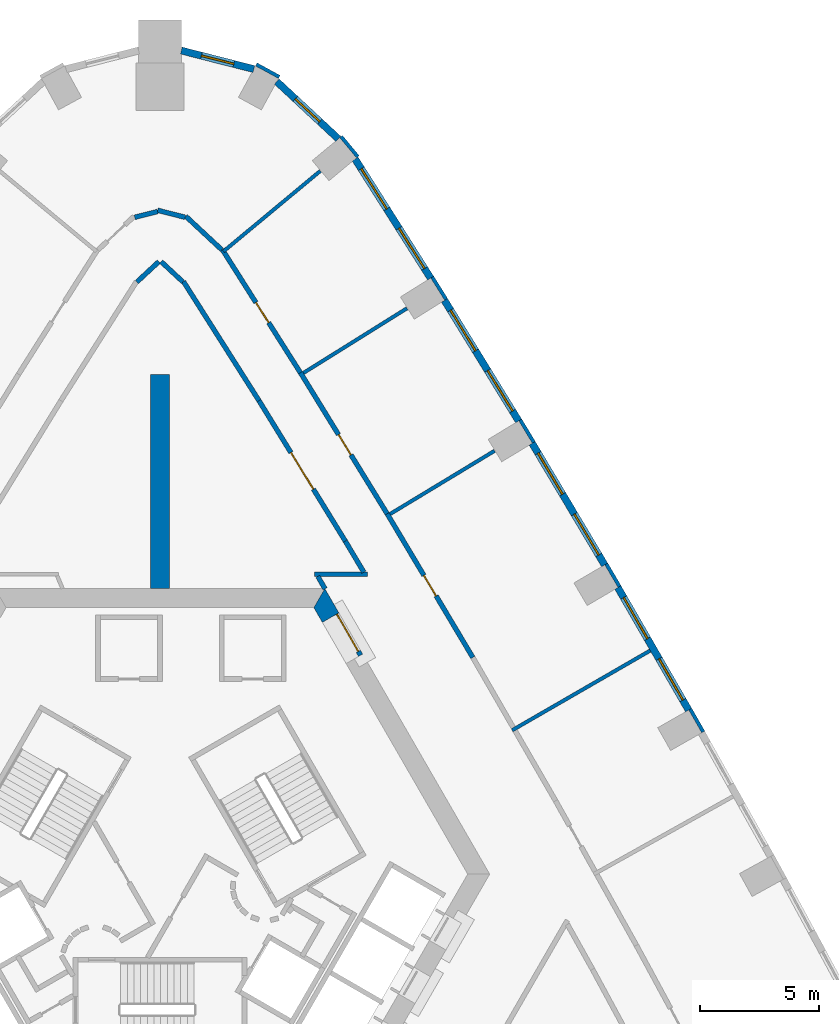
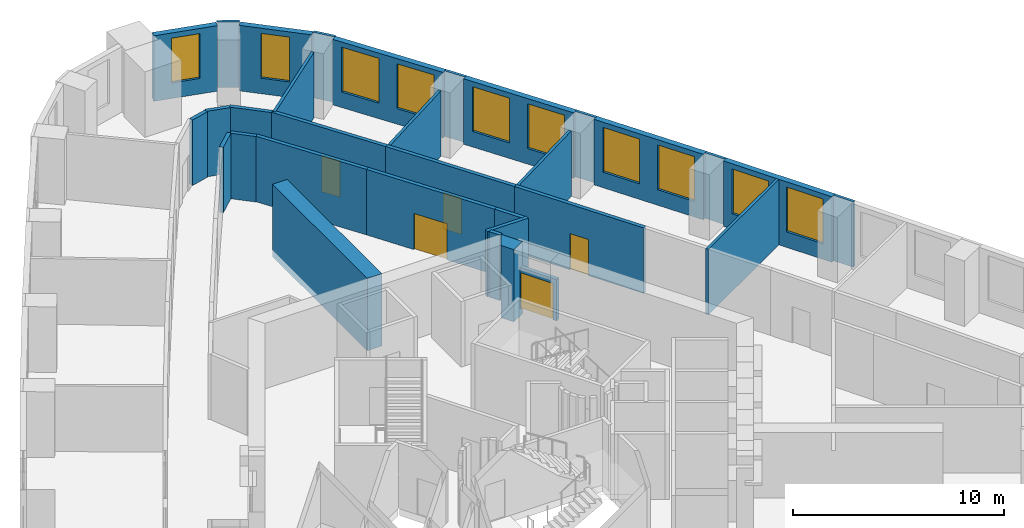
# One storey, part 10 of 12: 32 walls, 10 windows, 5 doors, 15 openings.
"""IFC4 building model written with IfcOpenShell, lengths in metres."""

from ifc_helpers import new_model, si_unit, direction, frame, frame_2d, origin, place, context, subcontext, project, spatial, polyline, rectangle, outline, extrude, material, layer, layer_set, type_object, element, fill, save


model = new_model("IFC4")

# Units and contexts
model_context = context("Model", 3, precision=1e-05, world=origin(), true_north=direction((0.0, 1.0)))
body_context = subcontext(model_context, "Body", "Model", "MODEL_VIEW")
ifc_project = project(units=[si_unit("LENGTHUNIT", "METRE"), si_unit("AREAUNIT", "SQUARE_METRE"), si_unit("VOLUMEUNIT", "CUBIC_METRE"), si_unit("PLANEANGLEUNIT", "RADIAN"), si_unit("MASSUNIT", "GRAM", prefix="KILO")], contexts=[model_context])

# Site, building, storey
site_placement = place(None, origin())
site = spatial("IfcSite", under=ifc_project, at=site_placement, CompositionType="ELEMENT")
building_placement = place(site_placement, origin())
building = spatial("IfcBuilding", under=site, at=building_placement, Name="Entoto Arch Interchange Tower", CompositionType="ELEMENT")
storey_placement = place(building_placement, frame((0.0, 0.0, 142.39990234375)))
storey = spatial("IfcBuildingStorey", under=building, at=storey_placement, Name="L31", CompositionType="ELEMENT", Elevation=142.39990234375)

# Wall
ifc_material_1 = material(Name="Concrete C50/60", Category="concrete")
ifc_layer_1 = layer(ifc_material_1, 0.800048828125)
ifc_layer_set_1 = layer_set([ifc_layer_1], Name="Concrete C50/60")
wall_type_1 = type_object("IfcWallType", Name="Buttress wall 800 C50/60", PredefinedType="SHEAR", material=ifc_layer_set_1)
wall_1_placement = place(storey_placement, frame((0.0, 14.5, -0.39990234375), z_axis=(0.0, 0.0, 1.0), x_axis=(0.0, 1.0, 0.0)))
element("IfcWall", 1, at=wall_1_placement, inside=storey, type_object=wall_type_1, Name="Buttress wall N L31", PredefinedType="SHEAR", context=body_context, shape_type="SweptSolid", body=[
    extrude(rectangle(XDim=9.0, YDim=0.800048828125, at=frame_2d((4.5, 0.0))), origin(), (0.0, 0.0, 1.0), 4.199951171875),
])

# Wall, opening, door
ifc_material_2 = material(Name="Reinforced concrete C40/50", Category="concrete")
ifc_layer_2 = layer(ifc_material_2, 0.199951171875)
ifc_layer_set_2 = layer_set([ifc_layer_2], Name="Reinforced concrete C40/50")
wall_type_2 = type_object("IfcWallType", Name="CORE GAP INFILL WALL", PredefinedType="PARTITIONING", material=ifc_layer_set_2)
wall_2_placement = place(storey_placement, frame((8.429931640625, 11.697998046875, 0.0), z_axis=(0.0, 0.0, 1.0), x_axis=(-0.50002537861, 0.866010750942, 0.0)))
wall_2 = element("IfcWall", 2, at=wall_2_placement, inside=storey, type_object=wall_type_2, Name="wall:L31:gap2", PredefinedType="PARTITIONING", context=body_context, shape_type="SweptSolid", body=[
    extrude(rectangle(XDim=2.0, YDim=0.199951171875, at=frame_2d((1.0, 0.0))), origin(), (0.0, 0.0, 1.0), 2.400146484375),
])
opening_1_placement = place(wall_2_placement, frame((0.18994140625, 0.0, 0.0)))
opening_1 = element("IfcOpeningElement", 3, at=opening_1_placement, cuts=wall_2, Name="Opening L31-D92", PredefinedType="OPENING", context=body_context, shape_type="SweptSolid", body=[
    extrude(rectangle(XDim=1.800048828125, YDim=2.10009765625, at=frame_2d((0.89990234375, 1.050048828125))), frame((0.0, 0.10986328125, 0.0), z_axis=(0.0, -1.0, 0.0), x_axis=(1.0, 0.0, 0.0)), (0.0, 0.0, 1.0), 0.219970703125),
])
ifc_material_3 = material(Name="Fire-rated Steel S235 door and frame", Category="steel")
door_type_1 = type_object("IfcDoorType", Name="DOOR FD-18 1800x2100", OperationType="DOUBLE_DOOR_SINGLE_SWING", PredefinedType="DOOR", material=ifc_material_3)
door_1_placement = place(opening_1_placement, origin())
door_1 = element("IfcDoor", 4, at=door_1_placement, inside=storey, type_object=door_type_1, Name="door:L31:gap2", OperationType="DOUBLE_DOOR_SINGLE_SWING", OverallHeight=2.10009765625, OverallWidth=1.800048828125, PredefinedType="DOOR", context=body_context, shape_type="SweptSolid", body=[
    extrude(rectangle(XDim=1.800048828125, YDim=2.10009765625, at=frame_2d((0.89990234375, 1.050048828125))), frame((0.0, 0.02490234375, 0.0), z_axis=(0.0, -1.0, 0.0), x_axis=(1.0, 0.0, 0.0)), (0.0, 0.0, 1.0), 0.050048828125),
])
fill(opening_1, door_1)

# Walls
ifc_layer_3 = layer(ifc_material_1, 0.800048828125)
ifc_layer_set_3 = layer_set([ifc_layer_3], Name="Concrete C50/60")
wall_type_3 = type_object("IfcWallType", Name="Core wall 800 C50/60", PredefinedType="SHEAR", material=ifc_layer_set_3)
wall_3_placement = place(storey_placement, frame((0.0, 0.0, -0.39990234375)))
element("IfcWall", 5, at=wall_3_placement, inside=storey, type_object=wall_type_3, Name="Core wall NE L31", PredefinedType="SHEAR", context=body_context, shape_type="SweptSolid", body=[
    extrude(outline(polyline([(6.823974609375, 13.080078125), (7.51708984375, 13.47998046875), (6.927978515625, 14.5), (6.466064453125, 13.699951171875), (6.823974609375, 13.080078125)])), origin(), (0.0, 0.0, 1.0), 4.199951171875),
])
ifc_material_4 = material(Name="Gypsum board partition on steel studs", Category="steel")
ifc_layer_4 = layer(ifc_material_4, 0.14990234375)
ifc_layer_set_4 = layer_set([ifc_layer_4], Name="Gypsum board partition on steel studs")
wall_type_4 = type_object("IfcWallType", Name="PARTITION 150", PredefinedType="PARTITIONING", material=ifc_layer_set_4)
wall_4_placement = place(storey_placement, frame((14.798095703125, 8.5439453125, 0.0), z_axis=(0.0, 0.0, 1.0), x_axis=(0.866041788654, 0.4999716195, 0.0)))
element("IfcWall", 6, at=wall_4_placement, inside=storey, type_object=wall_type_4, Name="wall:L31:p128", PredefinedType="PARTITIONING", context=body_context, shape_type="SweptSolid", body=[
    extrude(rectangle(XDim=6.70068359375, YDim=0.14990234375, at=frame_2d((3.350341796875, 0.0))), origin(), (0.0, 0.0, 1.0), 3.800048828125),
])
wall_5_placement = place(storey_placement, frame((9.6708984375, 17.633056640625, 0.0), z_axis=(0.0, 0.0, 1.0), x_axis=(0.855551112805, 0.517718353332, 0.0)))
element("IfcWall", 7, at=wall_5_placement, inside=storey, type_object=wall_type_4, Name="wall:L31:p129", PredefinedType="PARTITIONING", context=body_context, shape_type="SweptSolid", body=[
    extrude(rectangle(XDim=5.130126953125, YDim=0.14990234375, at=frame_2d((2.56494140625, 0.0))), origin(), (0.0, 0.0, 1.0), 3.800048828125),
])
wall_6_placement = place(storey_placement, frame((6.028076171875, 23.56005859375, 0.0), z_axis=(0.0, 0.0, 1.0), x_axis=(0.848246841914, 0.529601071734, 0.0)))
element("IfcWall", 8, at=wall_6_placement, inside=storey, type_object=wall_type_4, Name="wall:L31:p130", PredefinedType="PARTITIONING", context=body_context, shape_type="SweptSolid", body=[
    extrude(rectangle(XDim=5.13037109375, YDim=0.14990234375, at=frame_2d((2.565185546875, 0.0))), origin(), (0.0, 0.0, 1.0), 3.800048828125),
])
wall_7_placement = place(storey_placement, frame((2.669921875, 28.669921875, 0.0), z_axis=(0.0, 0.0, 1.0), x_axis=(0.769162789992, 0.639052894909, 0.0)))
element("IfcWall", 9, at=wall_7_placement, inside=storey, type_object=wall_type_4, Name="wall:L31:p131", PredefinedType="PARTITIONING", context=body_context, shape_type="SweptSolid", body=[
    extrude(rectangle(XDim=5.287841796875, YDim=0.14990234375, at=frame_2d((2.64404296875, 0.0))), origin(), (0.0, 0.0, 1.0), 3.800048828125),
])
ifc_layer_5 = layer(ifc_material_4, 0.199951171875)
ifc_layer_set_5 = layer_set([ifc_layer_5], Name="Gypsum board partition on steel studs")
wall_type_5 = type_object("IfcWallType", Name="PARTITION 200", PredefinedType="PARTITIONING", material=ifc_layer_set_5)
wall_8_placement = place(storey_placement, frame((6.93701171875, 14.488037109375, 0.0), z_axis=(0.0, 0.0, 1.0), x_axis=(-0.499908430952, 0.866078264744, 0.0)))
element("IfcWall", 10, at=wall_8_placement, inside=storey, type_object=wall_type_5, Name="wall:L31:p003", PredefinedType="PARTITIONING", context=body_context, shape_type="SweptSolid", body=[
    extrude(rectangle(XDim=0.60595703125, YDim=0.199951171875, at=frame_2d((0.302978515625, 0.0))), origin(), (0.0, 0.0, 1.0), 3.800048828125),
])
wall_9_placement = place(storey_placement, frame((6.48388671875, 15.10009765625, 0.0), z_axis=(0.0, 0.0, 1.0), x_axis=(1.0, 0.0, 0.0)))
element("IfcWall", 11, at=wall_9_placement, inside=storey, type_object=wall_type_5, Name="wall:L31:p004", PredefinedType="PARTITIONING", context=body_context, shape_type="SweptSolid", body=[
    extrude(rectangle(XDim=2.236083984375, YDim=0.199951171875, at=frame_2d((1.1181640625, 0.0))), origin(), (0.0, 0.0, 1.0), 3.800048828125),
])
wall_10_placement = place(storey_placement, frame((8.569091796875, 15.18603515625, 0.0), z_axis=(0.0, 0.0, 1.0), x_axis=(-0.512230585803, 0.85884796499, 0.0)))
element("IfcWall", 12, at=wall_10_placement, inside=storey, type_object=wall_type_5, Name="wall:L31:p005", PredefinedType="PARTITIONING", context=body_context, shape_type="SweptSolid", body=[
    extrude(rectangle(XDim=1.522705078125, YDim=0.199951171875, at=frame_2d((0.76123046875, 0.0))), origin(), (0.0, 0.0, 1.0), 3.800048828125),
])

# Wall, opening, door
wall_11_placement = place(storey_placement, frame((7.7890625, 16.493896484375, 0.0), z_axis=(0.0, 0.0, 1.0), x_axis=(-0.523625371849, 0.851948631055, 0.0)))
wall_11 = element("IfcWall", 13, at=wall_11_placement, inside=storey, type_object=wall_type_5, Name="wall:L31:p006", PredefinedType="PARTITIONING", context=body_context, shape_type="SweptSolid", body=[
    extrude(rectangle(XDim=6.926513671875, YDim=0.199951171875, at=frame_2d((3.46337890625, 0.0))), origin(), (0.0, 0.0, 1.0), 3.800048828125),
])
opening_2_placement = place(wall_11_placement, frame((2.56396484375, 0.0, 0.0)))
opening_2 = element("IfcOpeningElement", 14, at=opening_2_placement, cuts=wall_11, Name="Opening L31-D23", PredefinedType="OPENING", context=body_context, shape_type="SweptSolid", body=[
    extrude(rectangle(XDim=1.800048828125, YDim=2.10009765625, at=frame_2d((0.89990234375, 1.050048828125))), frame((0.0, 0.10986328125, 0.0), z_axis=(0.0, -1.0, 0.0), x_axis=(1.0, 0.0, 0.0)), (0.0, 0.0, 1.0), 0.219970703125),
])
ifc_material_5 = material(Name="Timber door leaf in Steel S235 frame", Category="steel")
door_type_2 = type_object("IfcDoorType", Name="DOOR DD-18 1800x2100", OperationType="DOUBLE_DOOR_SINGLE_SWING", PredefinedType="DOOR", material=ifc_material_5)
door_2_placement = place(opening_2_placement, origin())
door_2 = element("IfcDoor", 15, at=door_2_placement, inside=storey, type_object=door_type_2, Name="door:L31:23", OperationType="DOUBLE_DOOR_SINGLE_SWING", OverallHeight=2.10009765625, OverallWidth=1.800048828125, PredefinedType="DOOR", context=body_context, shape_type="SweptSolid", body=[
    extrude(rectangle(XDim=1.800048828125, YDim=2.10009765625, at=frame_2d((0.89990234375, 1.050048828125))), frame((0.0, 0.02490234375, 0.0), z_axis=(0.0, -1.0, 0.0), x_axis=(1.0, 0.0, 0.0)), (0.0, 0.0, 1.0), 0.050048828125),
])
fill(opening_2, door_2)

# Walls
wall_12_placement = place(storey_placement, frame((4.162109375, 22.39501953125, 0.0), z_axis=(0.0, 0.0, 1.0), x_axis=(-0.535496886312, 0.844537201519, 0.0)))
element("IfcWall", 16, at=wall_12_placement, inside=storey, type_object=wall_type_5, Name="wall:L31:p007", PredefinedType="PARTITIONING", context=body_context, shape_type="SweptSolid", body=[
    extrude(rectangle(XDim=5.92724609375, YDim=0.199951171875, at=frame_2d((2.963623046875, 0.0))), origin(), (0.0, 0.0, 1.0), 3.800048828125),
])
for number, where, z_axis, x_axis, name in (
    (17, (0.968017578125, 27.385009765625, 0.0), (0.0, 0.0, 1.0), (-0.732524038911, 0.680741164039, 0.0), "wall:L31:p008"),
    (18, (-0.0458984375, 28.241943359375, 0.0), (0.0, 0.0, 1.0), (-0.732524038911, -0.680741164039, 0.0), "wall:L31:p009"),
):
    element("IfcWall", number, at=place(storey_placement, frame(where, z_axis=z_axis, x_axis=x_axis)), inside=storey, type_object=wall_type_5, Name=name, PredefinedType="PARTITIONING", context=body_context, shape_type="SweptSolid", body=[
        extrude(rectangle(XDim=1.2587890625, YDim=0.199951171875, at=frame_2d((0.62939453125, 0.0))), origin(), (0.0, 0.0, 1.0), 3.800048828125),
    ])

# Wall, opening, door
wall_13_placement = place(storey_placement, frame((9.548095703125, 17.64501953125, 0.0), z_axis=(0.0, 0.0, 1.0), x_axis=(0.511822081848, -0.859091471575, 0.0)))
wall_13 = element("IfcWall", 19, at=wall_13_placement, inside=storey, type_object=wall_type_5, Name="wall:L31:p043", PredefinedType="PARTITIONING", context=body_context, shape_type="SweptSolid", body=[
    extrude(rectangle(XDim=7.029541015625, YDim=0.199951171875, at=frame_2d((3.5146484375, 0.0))), origin(), (0.0, 0.0, 1.0), 3.800048828125),
])
opening_3_placement = place(wall_13_placement, frame((3.014892578125, 0.0, 0.0)))
opening_3 = element("IfcOpeningElement", 20, at=opening_3_placement, cuts=wall_13, Name="Opening L31-D07", PredefinedType="OPENING", context=body_context, shape_type="SweptSolid", body=[
    extrude(rectangle(XDim=1.0, YDim=2.10009765625, at=frame_2d((0.5, 1.050048828125))), frame((0.0, 0.10986328125, 0.0), z_axis=(0.0, -1.0, 0.0), x_axis=(1.0, 0.0, 0.0)), (0.0, 0.0, 1.0), 0.219970703125),
])
door_type_3 = type_object("IfcDoorType", Name="DOOR DS-10 1000x2100", OperationType="SINGLE_SWING_LEFT", PredefinedType="DOOR", material=ifc_material_5)
door_3_placement = place(opening_3_placement, origin())
door_3 = element("IfcDoor", 21, at=door_3_placement, inside=storey, type_object=door_type_3, Name="door:L31:07", OperationType="SINGLE_SWING_RIGHT", OverallHeight=2.10009765625, OverallWidth=1.0, PredefinedType="DOOR", context=body_context, shape_type="SweptSolid", body=[
    extrude(rectangle(XDim=1.0, YDim=2.10009765625, at=frame_2d((0.5, 1.050048828125))), frame((0.0, 0.02490234375, 0.0), z_axis=(0.0, -1.0, 0.0), x_axis=(1.0, 0.0, 0.0)), (0.0, 0.0, 1.0), 0.050048828125),
])
fill(opening_3, door_3)

wall_14_placement = place(storey_placement, frame((5.904052734375, 23.571044921875, 0.0), z_axis=(0.0, 0.0, 1.0), x_axis=(0.523647026552, -0.851935321244, 0.0)))
wall_14 = element("IfcWall", 22, at=wall_14_placement, inside=storey, type_object=wall_type_5, Name="wall:L31:p045", PredefinedType="PARTITIONING", context=body_context, shape_type="SweptSolid", body=[
    extrude(rectangle(XDim=6.95703125, YDim=0.199951171875, at=frame_2d((3.478515625, 0.0))), origin(), (0.0, 0.0, 1.0), 3.800048828125),
])
opening_4_placement = place(wall_14_placement, frame((3.052978515625, 0.0, 0.0)))
opening_4 = element("IfcOpeningElement", 23, at=opening_4_placement, cuts=wall_14, Name="Opening L31-D08", PredefinedType="OPENING", context=body_context, shape_type="SweptSolid", body=[
    extrude(rectangle(XDim=1.0, YDim=2.10009765625, at=frame_2d((0.5, 1.050048828125))), frame((0.0, 0.10986328125, 0.0), z_axis=(0.0, -1.0, 0.0), x_axis=(1.0, 0.0, 0.0)), (0.0, 0.0, 1.0), 0.219970703125),
])
door_4_placement = place(opening_4_placement, origin())
door_4 = element("IfcDoor", 24, at=door_4_placement, inside=storey, type_object=door_type_3, Name="door:L31:08", OperationType="SINGLE_SWING_LEFT", OverallHeight=2.10009765625, OverallWidth=1.0, PredefinedType="DOOR", context=body_context, shape_type="SweptSolid", body=[
    extrude(rectangle(XDim=1.0, YDim=2.10009765625, at=frame_2d((0.5, 1.050048828125))), frame((0.0, 0.02490234375, 0.0), z_axis=(0.0, -1.0, 0.0), x_axis=(1.0, 0.0, 0.0)), (0.0, 0.0, 1.0), 0.050048828125),
])
fill(opening_4, door_4)

wall_15_placement = place(storey_placement, frame((2.615966796875, 28.75390625, 0.0), z_axis=(0.0, 0.0, 1.0), x_axis=(0.535405016332, -0.844595446641, 0.0)))
wall_15 = element("IfcWall", 25, at=wall_15_placement, inside=storey, type_object=wall_type_5, Name="wall:L31:p046", PredefinedType="PARTITIONING", context=body_context, shape_type="SweptSolid", body=[
    extrude(rectangle(XDim=6.1376953125, YDim=0.199951171875, at=frame_2d((3.06884765625, 0.0))), origin(), (0.0, 0.0, 1.0), 3.800048828125),
])
opening_5_placement = place(wall_15_placement, frame((2.64404296875, 0.0, 0.0)))
opening_5 = element("IfcOpeningElement", 26, at=opening_5_placement, cuts=wall_15, Name="Opening L31-D09", PredefinedType="OPENING", context=body_context, shape_type="SweptSolid", body=[
    extrude(rectangle(XDim=1.0, YDim=2.10009765625, at=frame_2d((0.5, 1.050048828125))), frame((0.0, 0.10986328125, 0.0), z_axis=(0.0, -1.0, 0.0), x_axis=(1.0, 0.0, 0.0)), (0.0, 0.0, 1.0), 0.219970703125),
])
door_5_placement = place(opening_5_placement, origin())
door_5 = element("IfcDoor", 27, at=door_5_placement, inside=storey, type_object=door_type_3, Name="door:L31:09", OperationType="SINGLE_SWING_LEFT", OverallHeight=2.10009765625, OverallWidth=1.0, PredefinedType="DOOR", context=body_context, shape_type="SweptSolid", body=[
    extrude(rectangle(XDim=1.0, YDim=2.10009765625, at=frame_2d((0.5, 1.050048828125))), frame((0.0, 0.02490234375, 0.0), z_axis=(0.0, -1.0, 0.0), x_axis=(1.0, 0.0, 0.0)), (0.0, 0.0, 1.0), 0.050048828125),
])
fill(opening_5, door_5)

# Walls
wall_16_placement = place(storey_placement, frame((-1.06103515625, 30.10107421875, 0.0), z_axis=(0.0, 0.0, 1.0), x_axis=(0.968991499392, 0.247094059227, 0.0)))
element("IfcWall", 28, at=wall_16_placement, inside=storey, type_object=wall_type_5, Name="wall:L31:p048", PredefinedType="PARTITIONING", context=body_context, shape_type="SweptSolid", body=[
    extrude(rectangle(XDim=0.994873046875, YDim=0.199951171875, at=frame_2d((0.49755859375, 0.0))), origin(), (0.0, 0.0, 1.0), 3.800048828125),
])
wall_17_placement = place(storey_placement, frame((-0.096923828125, 30.39697265625, 0.0), z_axis=(0.0, 0.0, 1.0), x_axis=(0.968867686006, -0.247579092439, 0.0)))
element("IfcWall", 29, at=wall_17_placement, inside=storey, type_object=wall_type_5, Name="wall:L31:p049", PredefinedType="PARTITIONING", context=body_context, shape_type="SweptSolid", body=[
    extrude(rectangle(XDim=1.195068359375, YDim=0.199951171875, at=frame_2d((0.59765625, 0.0))), origin(), (0.0, 0.0, 1.0), 3.800048828125),
])
wall_18_placement = place(storey_placement, frame((1.0849609375, 30.14501953125, 0.0), z_axis=(0.0, 0.0, 1.0), x_axis=(0.73206471367, -0.681235095249, 0.0)))
element("IfcWall", 30, at=wall_18_placement, inside=storey, type_object=wall_type_5, Name="wall:L31:p050", PredefinedType="PARTITIONING", context=body_context, shape_type="SweptSolid", body=[
    extrude(rectangle(XDim=2.0654296875, YDim=0.199951171875, at=frame_2d((1.03271484375, 0.0))), origin(), (0.0, 0.0, 1.0), 3.800048828125),
])

# Wall, openings, windows
ifc_material_6 = material(Name="Welded tuff (ignimbrite) cladding, warm buff", Category="masonry")
ifc_layer_6 = layer(ifc_material_6, 0.300048828125)
ifc_layer_set_6 = layer_set([ifc_layer_6], Name="Welded tuff (ignimbrite) cladding, warm buff")
wall_type_6 = type_object("IfcWallType", Name="STONE INFILL WALL 300", PredefinedType="STANDARD", material=ifc_layer_set_6)
wall_19_placement = place(storey_placement, frame((22.218017578125, 9.39208984375, 0.0), z_axis=(0.0, 0.0, 1.0), x_axis=(-0.49994263896, 0.866058518664, 0.0)))
wall_19 = element("IfcWall", 31, at=wall_19_placement, inside=storey, type_object=wall_type_6, Name="Facade wall NE-04 L31", PredefinedType="STANDARD", context=body_context, shape_type="SweptSolid", body=[
    extrude(rectangle(XDim=5.950927734375, YDim=0.300048828125, at=frame_2d((2.9755859375, 0.0))), origin(), (0.0, 0.0, 1.0), 3.800048828125),
])
opening_6_placement = place(wall_19_placement, frame((0.488037109375, 0.0, 0.89990234375)))
opening_6 = element("IfcOpeningElement", 32, at=opening_6_placement, cuts=wall_19, Name="Opening WO-C", PredefinedType="OPENING", context=body_context, shape_type="SweptSolid", body=[
    extrude(rectangle(XDim=2.0, YDim=2.60009765625, at=frame_2d((1.0, 1.300048828125))), frame((0.0, 0.16015625, 0.0), z_axis=(0.0, -1.0, 0.0), x_axis=(1.0, 0.0, 0.0)), (0.0, 0.0, 1.0), 0.320068359375),
])
opening_7_placement = place(wall_19_placement, frame((3.462890625, 0.0, 0.89990234375)))
opening_7 = element("IfcOpeningElement", 33, at=opening_7_placement, cuts=wall_19, Name="Opening WO-C", PredefinedType="OPENING", context=body_context, shape_type="SweptSolid", body=[
    extrude(rectangle(XDim=2.0, YDim=2.60009765625, at=frame_2d((1.0, 1.300048828125))), frame((0.0, 0.16015625, 0.0), z_axis=(0.0, -1.0, 0.0), x_axis=(1.0, 0.0, 0.0)), (0.0, 0.0, 1.0), 0.320068359375),
])
ifc_material_7 = material(Name="Clear glass, low-e double glazed", Category="glass")
window_type_1 = type_object("IfcWindowType", Name="WINDOW WO-C 2000x2600", PartitioningType="DOUBLE_PANEL_VERTICAL", PredefinedType="WINDOW", material=ifc_material_7)
window_1_placement = place(opening_6_placement, origin())
window_1 = element("IfcWindow", 34, at=window_1_placement, inside=storey, type_object=window_type_1, Name="Window WO-C NE-04 L31", OverallHeight=2.60009765625, OverallWidth=2.0, PartitioningType="SINGLE_PANEL", PredefinedType="WINDOW", context=body_context, shape_type="SweptSolid", body=[
    extrude(rectangle(XDim=2.0, YDim=2.60009765625, at=frame_2d((1.0, 1.300048828125))), frame((0.0, 0.030029296875, 0.0), z_axis=(0.0, -1.0, 0.0), x_axis=(1.0, 0.0, 0.0)), (0.0, 0.0, 1.0), 0.06005859375),
])
fill(opening_6, window_1)
window_2_placement = place(opening_7_placement, origin())
window_2 = element("IfcWindow", 35, at=window_2_placement, inside=storey, type_object=window_type_1, Name="Window WO-C NE-04 L31", OverallHeight=2.60009765625, OverallWidth=2.0, PartitioningType="SINGLE_PANEL", PredefinedType="WINDOW", context=body_context, shape_type="SweptSolid", body=[
    extrude(rectangle(XDim=2.0, YDim=2.60009765625, at=frame_2d((1.0, 1.300048828125))), frame((0.0, 0.030029296875, 0.0), z_axis=(0.0, -1.0, 0.0), x_axis=(1.0, 0.0, 0.0)), (0.0, 0.0, 1.0), 0.06005859375),
])
fill(opening_7, window_2)

wall_20_placement = place(storey_placement, frame((18.68798828125, 15.492919921875, 0.0), z_axis=(0.0, 0.0, 1.0), x_axis=(-0.511856715331, 0.859070836992, 0.0)))
wall_20 = element("IfcWall", 36, at=wall_20_placement, inside=storey, type_object=wall_type_6, Name="Facade wall NE-05 L31", PredefinedType="STANDARD", context=body_context, shape_type="SweptSolid", body=[
    extrude(rectangle(XDim=5.95068359375, YDim=0.300048828125, at=frame_2d((2.975341796875, 0.0))), origin(), (0.0, 0.0, 1.0), 3.800048828125),
])
opening_8_placement = place(wall_20_placement, frame((0.488037109375, 0.0, 0.89990234375)))
opening_8 = element("IfcOpeningElement", 37, at=opening_8_placement, cuts=wall_20, Name="Opening WO-C", PredefinedType="OPENING", context=body_context, shape_type="SweptSolid", body=[
    extrude(rectangle(XDim=2.0, YDim=2.60009765625, at=frame_2d((1.0, 1.300048828125))), frame((0.0, 0.16015625, 0.0), z_axis=(0.0, -1.0, 0.0), x_axis=(1.0, 0.0, 0.0)), (0.0, 0.0, 1.0), 0.320068359375),
])
opening_9_placement = place(wall_20_placement, frame((3.462890625, 0.0, 0.89990234375)))
opening_9 = element("IfcOpeningElement", 38, at=opening_9_placement, cuts=wall_20, Name="Opening WO-C", PredefinedType="OPENING", context=body_context, shape_type="SweptSolid", body=[
    extrude(rectangle(XDim=2.0, YDim=2.60009765625, at=frame_2d((1.0, 1.300048828125))), frame((0.0, 0.16015625, 0.0), z_axis=(0.0, -1.0, 0.0), x_axis=(1.0, 0.0, 0.0)), (0.0, 0.0, 1.0), 0.320068359375),
])
window_3_placement = place(opening_8_placement, origin())
window_3 = element("IfcWindow", 39, at=window_3_placement, inside=storey, type_object=window_type_1, Name="Window WO-C NE-05 L31", OverallHeight=2.60009765625, OverallWidth=2.0, PartitioningType="SINGLE_PANEL", PredefinedType="WINDOW", context=body_context, shape_type="SweptSolid", body=[
    extrude(rectangle(XDim=2.0, YDim=2.60009765625, at=frame_2d((1.0, 1.300048828125))), frame((0.0, 0.030029296875, 0.0), z_axis=(0.0, -1.0, 0.0), x_axis=(1.0, 0.0, 0.0)), (0.0, 0.0, 1.0), 0.06005859375),
])
fill(opening_8, window_3)
window_4_placement = place(opening_9_placement, origin())
window_4 = element("IfcWindow", 40, at=window_4_placement, inside=storey, type_object=window_type_1, Name="Window WO-C NE-05 L31", OverallHeight=2.60009765625, OverallWidth=2.0, PartitioningType="SINGLE_PANEL", PredefinedType="WINDOW", context=body_context, shape_type="SweptSolid", body=[
    extrude(rectangle(XDim=2.0, YDim=2.60009765625, at=frame_2d((1.0, 1.300048828125))), frame((0.0, 0.030029296875, 0.0), z_axis=(0.0, -1.0, 0.0), x_axis=(1.0, 0.0, 0.0)), (0.0, 0.0, 1.0), 0.06005859375),
])
fill(opening_9, window_4)

wall_21_placement = place(storey_placement, frame((15.072998046875, 21.5439453125, 0.0), z_axis=(0.0, 0.0, 1.0), x_axis=(-0.523719731127, 0.851890628677, 0.0)))
wall_21 = element("IfcWall", 41, at=wall_21_placement, inside=storey, type_object=wall_type_6, Name="Facade wall NE-06 L31", PredefinedType="STANDARD", context=body_context, shape_type="SweptSolid", body=[
    extrude(rectangle(XDim=5.95166015625, YDim=0.300048828125, at=frame_2d((2.975830078125, 0.0))), origin(), (0.0, 0.0, 1.0), 3.800048828125),
])
opening_10_placement = place(wall_21_placement, frame((0.488037109375, 0.0, 0.89990234375)))
opening_10 = element("IfcOpeningElement", 42, at=opening_10_placement, cuts=wall_21, Name="Opening WO-C", PredefinedType="OPENING", context=body_context, shape_type="SweptSolid", body=[
    extrude(rectangle(XDim=2.0, YDim=2.60009765625, at=frame_2d((1.0, 1.300048828125))), frame((0.0, 0.16015625, 0.0), z_axis=(0.0, -1.0, 0.0), x_axis=(1.0, 0.0, 0.0)), (0.0, 0.0, 1.0), 0.320068359375),
])
opening_11_placement = place(wall_21_placement, frame((3.464111328125, 0.0, 0.89990234375)))
opening_11 = element("IfcOpeningElement", 43, at=opening_11_placement, cuts=wall_21, Name="Opening WO-C", PredefinedType="OPENING", context=body_context, shape_type="SweptSolid", body=[
    extrude(rectangle(XDim=2.0, YDim=2.60009765625, at=frame_2d((1.0, 1.300048828125))), frame((0.0, 0.16015625, 0.0), z_axis=(0.0, -1.0, 0.0), x_axis=(1.0, 0.0, 0.0)), (0.0, 0.0, 1.0), 0.320068359375),
])
window_5_placement = place(opening_10_placement, origin())
window_5 = element("IfcWindow", 44, at=window_5_placement, inside=storey, type_object=window_type_1, Name="Window WO-C NE-06 L31", OverallHeight=2.60009765625, OverallWidth=2.0, PartitioningType="SINGLE_PANEL", PredefinedType="WINDOW", context=body_context, shape_type="SweptSolid", body=[
    extrude(rectangle(XDim=2.0, YDim=2.60009765625, at=frame_2d((1.0, 1.300048828125))), frame((0.0, 0.030029296875, 0.0), z_axis=(0.0, -1.0, 0.0), x_axis=(1.0, 0.0, 0.0)), (0.0, 0.0, 1.0), 0.06005859375),
])
fill(opening_10, window_5)
window_6_placement = place(opening_11_placement, origin())
window_6 = element("IfcWindow", 45, at=window_6_placement, inside=storey, type_object=window_type_1, Name="Window WO-C NE-06 L31", OverallHeight=2.60009765625, OverallWidth=2.0, PartitioningType="SINGLE_PANEL", PredefinedType="WINDOW", context=body_context, shape_type="SweptSolid", body=[
    extrude(rectangle(XDim=2.0, YDim=2.60009765625, at=frame_2d((1.0, 1.300048828125))), frame((0.0, 0.030029296875, 0.0), z_axis=(0.0, -1.0, 0.0), x_axis=(1.0, 0.0, 0.0)), (0.0, 0.0, 1.0), 0.06005859375),
])
fill(opening_11, window_6)

wall_22_placement = place(storey_placement, frame((11.375, 27.544921875, 0.0), z_axis=(0.0, 0.0, 1.0), x_axis=(-0.535403761464, 0.844596242124, 0.0)))
wall_22 = element("IfcWall", 46, at=wall_22_placement, inside=storey, type_object=wall_type_6, Name="Facade wall NE-07 L31", PredefinedType="STANDARD", context=body_context, shape_type="SweptSolid", body=[
    extrude(rectangle(XDim=5.928466796875, YDim=0.300048828125, at=frame_2d((2.96435546875, 0.0))), origin(), (0.0, 0.0, 1.0), 3.800048828125),
])
opening_12_placement = place(wall_22_placement, frame((0.48193359375, 0.0, 0.89990234375)))
opening_12 = element("IfcOpeningElement", 47, at=opening_12_placement, cuts=wall_22, Name="Opening WO-C", PredefinedType="OPENING", context=body_context, shape_type="SweptSolid", body=[
    extrude(rectangle(XDim=2.0, YDim=2.60009765625, at=frame_2d((1.0, 1.300048828125))), frame((0.0, 0.16015625, 0.0), z_axis=(0.0, -1.0, 0.0), x_axis=(1.0, 0.0, 0.0)), (0.0, 0.0, 1.0), 0.320068359375),
])
opening_13_placement = place(wall_22_placement, frame((3.446044921875, 0.0, 0.89990234375)))
opening_13 = element("IfcOpeningElement", 48, at=opening_13_placement, cuts=wall_22, Name="Opening WO-C", PredefinedType="OPENING", context=body_context, shape_type="SweptSolid", body=[
    extrude(rectangle(XDim=2.0, YDim=2.60009765625, at=frame_2d((1.0, 1.300048828125))), frame((0.0, 0.16015625, 0.0), z_axis=(0.0, -1.0, 0.0), x_axis=(1.0, 0.0, 0.0)), (0.0, 0.0, 1.0), 0.320068359375),
])
window_7_placement = place(opening_12_placement, origin())
window_7 = element("IfcWindow", 49, at=window_7_placement, inside=storey, type_object=window_type_1, Name="Window WO-C NE-07 L31", OverallHeight=2.60009765625, OverallWidth=2.0, PartitioningType="SINGLE_PANEL", PredefinedType="WINDOW", context=body_context, shape_type="SweptSolid", body=[
    extrude(rectangle(XDim=2.0, YDim=2.60009765625, at=frame_2d((1.0, 1.300048828125))), frame((0.0, 0.030029296875, 0.0), z_axis=(0.0, -1.0, 0.0), x_axis=(1.0, 0.0, 0.0)), (0.0, 0.0, 1.0), 0.06005859375),
])
fill(opening_12, window_7)
window_8_placement = place(opening_13_placement, origin())
window_8 = element("IfcWindow", 50, at=window_8_placement, inside=storey, type_object=window_type_1, Name="Window WO-C NE-07 L31", OverallHeight=2.60009765625, OverallWidth=2.0, PartitioningType="SINGLE_PANEL", PredefinedType="WINDOW", context=body_context, shape_type="SweptSolid", body=[
    extrude(rectangle(XDim=2.0, YDim=2.60009765625, at=frame_2d((1.0, 1.300048828125))), frame((0.0, 0.030029296875, 0.0), z_axis=(0.0, -1.0, 0.0), x_axis=(1.0, 0.0, 0.0)), (0.0, 0.0, 1.0), 0.06005859375),
])
fill(opening_13, window_8)

# Wall, opening, window
wall_23_placement = place(storey_placement, frame((7.4990234375, 33.39599609375, 0.0), z_axis=(0.0, 0.0, 1.0), x_axis=(-0.732121882671, 0.681173655475, 0.0)))
wall_23 = element("IfcWall", 51, at=wall_23_placement, inside=storey, type_object=wall_type_6, Name="Facade wall N-01 L31", PredefinedType="STANDARD", context=body_context, shape_type="SweptSolid", body=[
    extrude(rectangle(XDim=3.536376953125, YDim=0.300048828125, at=frame_2d((1.76806640625, 0.0))), origin(), (0.0, 0.0, 1.0), 3.800048828125),
])
opening_14_placement = place(wall_23_placement, frame((1.068115234375, 0.0, 0.89990234375)))
opening_14 = element("IfcOpeningElement", 52, at=opening_14_placement, cuts=wall_23, Name="Opening WO-B", PredefinedType="OPENING", context=body_context, shape_type="SweptSolid", body=[
    extrude(rectangle(XDim=1.39990234375, YDim=2.60009765625, at=frame_2d((0.699951171875, 1.300048828125))), frame((0.0, 0.16015625, 0.0), z_axis=(0.0, -1.0, 0.0), x_axis=(1.0, 0.0, 0.0)), (0.0, 0.0, 1.0), 0.320068359375),
])
window_type_2 = type_object("IfcWindowType", Name="WINDOW WO-B 1400x2600", PartitioningType="DOUBLE_PANEL_VERTICAL", PredefinedType="WINDOW", material=ifc_material_7)
window_9_placement = place(opening_14_placement, origin())
window_9 = element("IfcWindow", 53, at=window_9_placement, inside=storey, type_object=window_type_2, Name="Window WO-B N-01 L31", OverallHeight=2.60009765625, OverallWidth=1.39990234375, PartitioningType="SINGLE_PANEL", PredefinedType="WINDOW", context=body_context, shape_type="SweptSolid", body=[
    extrude(rectangle(XDim=1.39990234375, YDim=2.60009765625, at=frame_2d((0.699951171875, 1.300048828125))), frame((0.0, 0.030029296875, 0.0), z_axis=(0.0, -1.0, 0.0), x_axis=(1.0, 0.0, 0.0)), (0.0, 0.0, 1.0), 0.06005859375),
])
fill(opening_14, window_9)

wall_24_placement = place(storey_placement, frame((3.946044921875, 36.3310546875, 0.0), z_axis=(0.0, 0.0, 1.0), x_axis=(-0.968929586963, 0.247336724947, 0.0)))
wall_24 = element("IfcWall", 54, at=wall_24_placement, inside=storey, type_object=wall_type_6, Name="Facade wall N-02 L31", PredefinedType="STANDARD", context=body_context, shape_type="SweptSolid", body=[
    extrude(rectangle(XDim=3.144775390625, YDim=0.300048828125, at=frame_2d((1.572265625, 0.0))), origin(), (0.0, 0.0, 1.0), 3.800048828125),
])
opening_15_placement = place(wall_24_placement, frame((0.8720703125, 0.0, 0.89990234375)))
opening_15 = element("IfcOpeningElement", 55, at=opening_15_placement, cuts=wall_24, Name="Opening WO-B", PredefinedType="OPENING", context=body_context, shape_type="SweptSolid", body=[
    extrude(rectangle(XDim=1.39990234375, YDim=2.60009765625, at=frame_2d((0.699951171875, 1.300048828125))), frame((0.0, 0.16015625, 0.0), z_axis=(0.0, -1.0, 0.0), x_axis=(1.0, 0.0, 0.0)), (0.0, 0.0, 1.0), 0.320068359375),
])
window_10_placement = place(opening_15_placement, origin())
window_10 = element("IfcWindow", 56, at=window_10_placement, inside=storey, type_object=window_type_2, Name="Window WO-B N-02 L31", OverallHeight=2.60009765625, OverallWidth=1.39990234375, PartitioningType="SINGLE_PANEL", PredefinedType="WINDOW", context=body_context, shape_type="SweptSolid", body=[
    extrude(rectangle(XDim=1.39990234375, YDim=2.60009765625, at=frame_2d((0.699951171875, 1.300048828125))), frame((0.0, 0.030029296875, 0.0), z_axis=(0.0, -1.0, 0.0), x_axis=(1.0, 0.0, 0.0)), (0.0, 0.0, 1.0), 0.06005859375),
])
fill(opening_15, window_10)

# Walls
ifc_layer_7 = layer(ifc_material_6, 0.14990234375)
ifc_layer_set_7 = layer_set([ifc_layer_7], Name="Welded tuff (ignimbrite) cladding, warm buff")
wall_type_7 = type_object("IfcWallType", Name="STONE PIER CLADDING 150", PredefinedType="STANDARD", material=ifc_layer_set_7)
wall_25_placement = place(storey_placement, frame((5.01611328125, 35.998046875, 0.0), z_axis=(0.0, 0.0, 1.0), x_axis=(-0.877929486755, 0.478789950068, 0.0)))
element("IfcWall", 57, at=wall_25_placement, inside=storey, type_object=wall_type_7, Name="Stone pier N1 L31", PredefinedType="STANDARD", context=body_context, shape_type="SweptSolid", body=[
    extrude(rectangle(XDim=1.100341796875, YDim=0.14990234375, at=frame_2d((0.55029296875, 0.0))), origin(), (0.0, 0.0, 1.0), 3.800048828125),
])
wall_26_placement = place(storey_placement, frame((22.830078125, 8.47607421875, 0.0), z_axis=(0.0, 0.0, 1.0), x_axis=(-0.494775760346, 0.869020682708, 0.0)))
element("IfcWall", 58, at=wall_26_placement, inside=storey, type_object=wall_type_7, Name="Stone pier NE04 L31", PredefinedType="STANDARD", context=body_context, shape_type="SweptSolid", body=[
    extrude(rectangle(XDim=1.099853515625, YDim=0.14990234375, at=frame_2d((0.5498046875, 0.0))), origin(), (0.0, 0.0, 1.0), 3.800048828125),
])
wall_27_placement = place(storey_placement, frame((19.31201171875, 14.5849609375, 0.0), z_axis=(0.0, 0.0, 1.0), x_axis=(-0.50667077411, 0.862139621327, 0.0)))
element("IfcWall", 59, at=wall_27_placement, inside=storey, type_object=wall_type_7, Name="Stone pier NE05 L31", PredefinedType="STANDARD", context=body_context, shape_type="SweptSolid", body=[
    extrude(rectangle(XDim=1.099609375, YDim=0.14990234375, at=frame_2d((0.5498046875, 0.0))), origin(), (0.0, 0.0, 1.0), 3.800048828125),
])
for number, where, z_axis, x_axis, name in (
    (60, (15.7099609375, 20.64501953125, 0.0), (0.0, 0.0, 1.0), (-0.518178754102, 0.855272341888, 0.0), "Stone pier NE06 L31"),
    (61, (12.02392578125, 26.655029296875, 0.0), (0.0, 0.0, 1.0), (-0.52997899071, 0.848010771987, 0.0), "Stone pier NE07 L31"),
):
    element("IfcWall", number, at=place(storey_placement, frame(where, z_axis=z_axis, x_axis=x_axis)), inside=storey, type_object=wall_type_7, Name=name, PredefinedType="STANDARD", context=body_context, shape_type="SweptSolid", body=[
        extrude(rectangle(XDim=1.10009765625, YDim=0.14990234375, at=frame_2d((0.550048828125, 0.0))), origin(), (0.0, 0.0, 1.0), 3.800048828125),
    ])
wall_28_placement = place(storey_placement, frame((8.31494140625, 32.64501953125, 0.0), z_axis=(0.0, 0.0, 1.0), x_axis=(-0.639070205934, 0.769148406933, 0.0)))
element("IfcWall", 62, at=wall_28_placement, inside=storey, type_object=wall_type_7, Name="Stone pier NE08 L31", PredefinedType="STANDARD", context=body_context, shape_type="SweptSolid", body=[
    extrude(rectangle(XDim=1.099853515625, YDim=0.14990234375, at=frame_2d((0.5498046875, 0.0))), origin(), (0.0, 0.0, 1.0), 3.800048828125),
])

save(model, "model.ifc")
